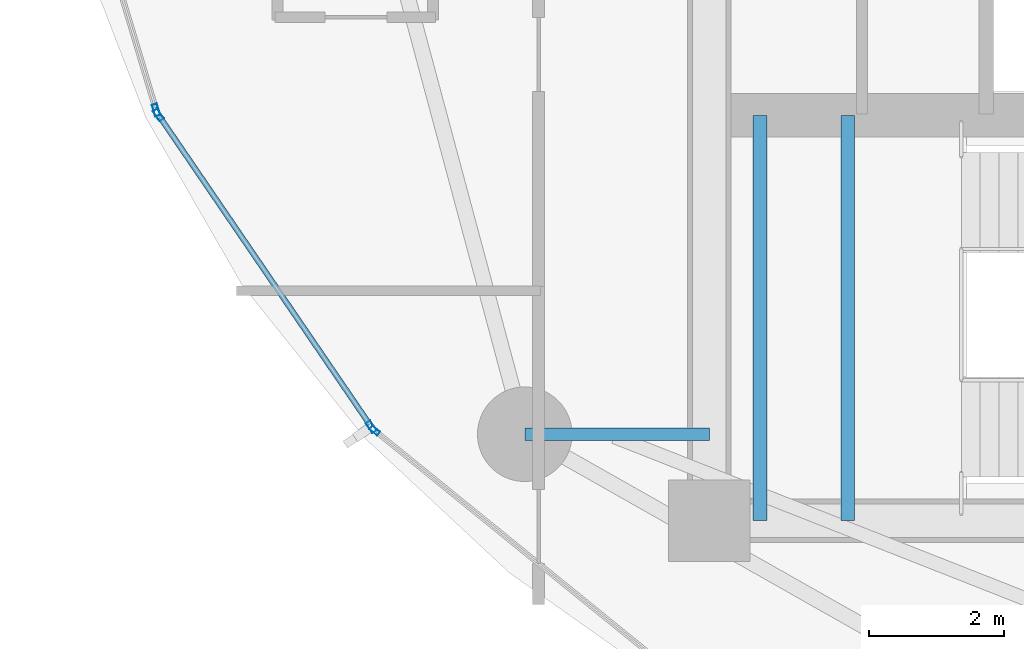
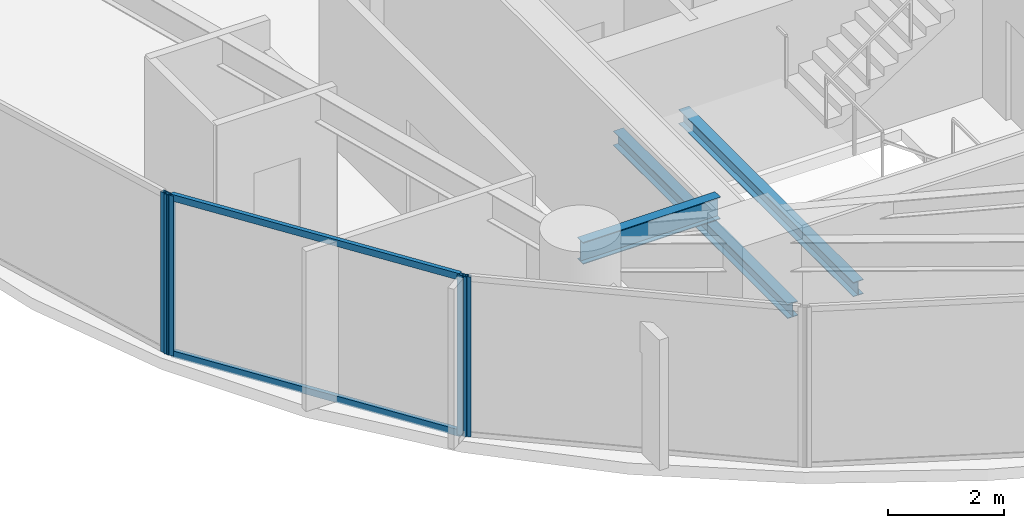
# One storey, part 3 of 31: 6 members, 3 beams, 3 elements without a shape of their own.
"""IFC4 building model written with IfcOpenShell, lengths in metres."""

from ifc_helpers import new_model, si_unit, direction, frame, origin, origin_2d, place, context, subcontext, project, spatial, hollow_rectangle, i_section, extrude, material, layer, layer_set, material_profile, profile_set, type_object, element, aggregate, save


model = new_model("IFC4")

# Units and contexts
model_context = context("Model", 3, precision=1e-05, world=origin(), true_north=direction((0.0, 1.0)))
body_context = subcontext(model_context, "Body", "Model", "MODEL_VIEW")
ifc_project = project(units=[si_unit("LENGTHUNIT", "METRE"), si_unit("AREAUNIT", "SQUARE_METRE"), si_unit("VOLUMEUNIT", "CUBIC_METRE"), si_unit("PLANEANGLEUNIT", "RADIAN"), si_unit("MASSUNIT", "GRAM", prefix="KILO")], contexts=[model_context])

# Site, building, storey
site_placement = place(None, origin())
site = spatial("IfcSite", under=ifc_project, at=site_placement, CompositionType="ELEMENT")
building_placement = place(site_placement, origin())
building = spatial("IfcBuilding", under=site, at=building_placement, Name="Kazevale Care Tower and Concert Hall", CompositionType="ELEMENT")
storey_placement = place(building_placement, frame((0.0, 0.0, 81.60009765625)))
storey = spatial("IfcBuildingStorey", under=building, at=storey_placement, Name="L21", CompositionType="ELEMENT", Elevation=81.60009765625)

# Curtain wall, members
ifc_material_1 = material(Name="Aluminium 6063-T6 and Low-E Glass", Category="aluminium")
ifc_layer_1 = layer(ifc_material_1, 0.179931640625)
ifc_layer_set_1 = layer_set([ifc_layer_1], Name="Aluminium 6063-T6 and Low-E Glass")
curtain_wall_type_1 = type_object("IfcCurtainWallType", Name="Waist & Upper Residential Curtain Wall CW-4", PredefinedType="NOTDEFINED", material=ifc_layer_set_1)
curtain_wall_1_placement = place(storey_placement, origin())
curtain_wall_1 = element("IfcCurtainWall", 1, at=curtain_wall_1_placement, inside=storey, type_object=curtain_wall_type_1, Name="cw:L21:f11", PredefinedType="NOTDEFINED")
ifc_material_2 = material(Name="Aluminium 6063-T6", Category="aluminium")
ifc_material_profile_1 = material_profile(ifc_material_2, hollow_rectangle(XDim=0.080078125, YDim=0.179931640625, WallThickness=0.0048828125, at=origin_2d()), Name="ALU80x180x5")
ifc_profile_set_1 = profile_set([ifc_material_profile_1], Name="Aluminium 6063-T6")
member_type_1 = type_object("IfcMemberType", Name="CW-4 Mullion ALU80x180x5", PredefinedType="MULLION", material=ifc_profile_set_1)
member_1_placement = place(storey_placement, frame((16.99853515625, 24.989990234375, 0.0), z_axis=(0.0, 0.0, 1.0), x_axis=(-0.826003329789, -0.563665236801, 0.0)))
member_1 = element("IfcMember", 2, at=member_1_placement, type_object=member_type_1, Name="CW-4 mullion 1", PredefinedType="MULLION", context=body_context, shape_type="SweptSolid", body=[
    extrude(hollow_rectangle(XDim=0.080078125, YDim=0.179931640625, WallThickness=0.0048828125, at=origin_2d()), origin(), (0.0, 0.0, 1.0), 3.35986328125),
])
member_2_placement = place(storey_placement, frame((13.8486328125, 29.60595703125, 0.0), z_axis=(0.0, 0.0, 1.0), x_axis=(-0.826003329789, -0.563665236801, 0.0)))
member_2 = element("IfcMember", 3, at=member_2_placement, type_object=member_type_1, Name="CW-4 mullion 2", PredefinedType="MULLION", context=body_context, shape_type="SweptSolid", body=[
    extrude(hollow_rectangle(XDim=0.080078125, YDim=0.179931640625, WallThickness=0.0048828125, at=origin_2d()), origin(), (0.0, 0.0, 1.0), 3.35986328125),
])

# Curtain wall, member
curtain_wall_2_placement = place(storey_placement, origin())
curtain_wall_2 = element("IfcCurtainWall", 4, at=curtain_wall_2_placement, inside=storey, type_object=curtain_wall_type_1, Name="cw:L21:f12", PredefinedType="NOTDEFINED")
member_3_placement = place(storey_placement, frame((13.814453125, 29.67724609375, 0.0), z_axis=(0.0, 0.0, 1.0), x_axis=(-0.957661755703, -0.287895747909, 0.0)))
member_3 = element("IfcMember", 5, at=member_3_placement, type_object=member_type_1, Name="CW-4 mullion 1", PredefinedType="MULLION", context=body_context, shape_type="SweptSolid", body=[
    extrude(hollow_rectangle(XDim=0.080078125, YDim=0.179931640625, WallThickness=0.0048828125, at=origin_2d()), origin(), (0.0, 0.0, 1.0), 3.35986328125),
])
aggregate(curtain_wall_2, [member_3])

# Member
ifc_material_profile_2 = material_profile(ifc_material_2, hollow_rectangle(XDim=0.080078125, YDim=0.139892578125, WallThickness=0.00390625, at=origin_2d()), Name="ALU80x140x4")
ifc_profile_set_2 = profile_set([ifc_material_profile_2], Name="Aluminium 6063-T6")
member_type_2 = type_object("IfcMemberType", Name="CW-4 Transom ALU80x140x4", PredefinedType="USERDEFINED", material=ifc_profile_set_2)
member_4_placement = place(storey_placement, frame((16.975830078125, 25.023193359375, 0.039794921875), z_axis=(-0.56365860987, 0.826007851972, 0.0), x_axis=(-0.826007851972, -0.56365860987, 0.0)))
member_4 = element("IfcMember", 6, at=member_4_placement, type_object=member_type_2, Name="CW-4 transom 1.1", ObjectType="TRANSOM", PredefinedType="USERDEFINED", context=body_context, shape_type="SweptSolid", body=[
    extrude(hollow_rectangle(XDim=0.080078125, YDim=0.139892578125, WallThickness=0.00390625, at=origin_2d()), origin(), (0.0, 0.0, 1.0), 5.50830078125),
])

member_5_placement = place(storey_placement, frame((16.975830078125, 25.023193359375, 3.31982421875), z_axis=(-0.56365860987, 0.826007851972, 0.0), x_axis=(-0.826007851972, -0.56365860987, 0.0)))
member_5 = element("IfcMember", 7, at=member_5_placement, type_object=member_type_2, Name="CW-4 transom 1.2", ObjectType="TRANSOM", PredefinedType="USERDEFINED", context=body_context, shape_type="SweptSolid", body=[
    extrude(hollow_rectangle(XDim=0.080078125, YDim=0.139892578125, WallThickness=0.00390625, at=origin_2d()), origin(), (0.0, 0.0, 1.0), 5.50830078125),
])

aggregate(curtain_wall_1, [member_1, member_2, member_4, member_5])

# Curtain wall, member
ifc_layer_2 = layer(ifc_material_1, 0.179931640625)
ifc_layer_set_2 = layer_set([ifc_layer_2], Name="Aluminium 6063-T6 and Low-E Glass")
curtain_wall_type_2 = type_object("IfcCurtainWallType", Name="Sheltered Concave Balcony Curtain Wall CW-5", PredefinedType="NOTDEFINED", material=ifc_layer_set_2)
curtain_wall_3_placement = place(storey_placement, origin())
curtain_wall_3 = element("IfcCurtainWall", 8, at=curtain_wall_3_placement, inside=storey, type_object=curtain_wall_type_2, Name="cw:L21:f10", PredefinedType="NOTDEFINED")
ifc_material_profile_3 = material_profile(ifc_material_2, hollow_rectangle(XDim=0.074951171875, YDim=0.14990234375, WallThickness=0.00390625, at=origin_2d()), Name="ALU75x150x4")
ifc_profile_set_3 = profile_set([ifc_material_profile_3], Name="Aluminium 6063-T6")
member_type_3 = type_object("IfcMemberType", Name="CW-5 Mullion ALU75x150x4", PredefinedType="MULLION", material=ifc_profile_set_3)
member_6_placement = place(storey_placement, frame((17.050048828125, 24.933349609375, 0.0), z_axis=(0.0, 0.0, 1.0), x_axis=(-0.629994732952, -0.77659940539, 0.0)))
member_6 = element("IfcMember", 9, at=member_6_placement, type_object=member_type_3, Name="CW-5 mullion 2", PredefinedType="MULLION", context=body_context, shape_type="SweptSolid", body=[
    extrude(hollow_rectangle(XDim=0.074951171875, YDim=0.14990234375, WallThickness=0.00390625, at=origin_2d()), origin(), (0.0, 0.0, 1.0), 3.35986328125),
])
aggregate(curtain_wall_3, [member_6])

# Beams
ifc_material_3 = material(Name="Steel ASTM A572 Gr 50", Category="steel")
ifc_material_profile_4 = material_profile(ifc_material_3, i_section(OverallWidth=0.19091796875, OverallDepth=0.4599609375, WebThickness=0.010009765625, FlangeThickness=0.01611328125, at=origin_2d()), Name="W460x82")
ifc_profile_set_4 = profile_set([ifc_material_profile_4], Name="Steel ASTM A572 Gr 50")
beam_type_1 = type_object("IfcBeamType", Name="Radial Floor Beam W460x82", PredefinedType="BEAM", material=ifc_profile_set_4)
beam_placement = place(storey_placement, frame((22.0, 24.8798828125, 3.1298828125), z_axis=(-1.0, 0.0, 0.0), x_axis=(0.0, -1.0, 0.0)))
element("IfcBeam", 10, at=beam_placement, inside=storey, type_object=beam_type_1, Name="beam:L21:rad:10", PredefinedType="BEAM", context=body_context, shape_type="SweptSolid", body=[
    extrude(i_section(OverallWidth=0.19091796875, OverallDepth=0.4599609375, WebThickness=0.010009765625, FlangeThickness=0.01611328125, at=origin_2d()), origin(), (0.0, 0.0, 1.0), 2.72998046875),
])
ifc_material_profile_5 = material_profile(ifc_material_3, i_section(OverallWidth=0.202880859375, OverallDepth=0.302978515625, WebThickness=0.007568359375, FlangeThickness=0.01318359375, at=origin_2d()), Name="W310x60")
ifc_profile_set_5 = profile_set([ifc_material_profile_5], Name="Steel ASTM A572 Gr 50")
beam_type_2 = type_object("IfcBeamType", Name="Stair & Balcony Trimmer W310x60", PredefinedType="BEAM", material=ifc_profile_set_5)
for number, where, z_axis, x_axis, name in (
    (11, (22.75, 23.60009765625, 1.448486328125), (0.0, 1.0, 0.0), (-1.0, 0.0, 0.0), "beam:L21:sttrim:ST1"),
    (12, (24.050048828125, 23.60009765625, 1.448486328125), (0.0, 1.0, 0.0), (-1.0, 0.0, 0.0), "beam:L21:sttrim:ST1b"),
):
    element("IfcBeam", number, at=place(storey_placement, frame(where, z_axis=z_axis, x_axis=x_axis)), inside=storey, type_object=beam_type_2, Name=name, PredefinedType="BEAM", context=body_context, shape_type="SweptSolid", body=[
        extrude(i_section(OverallWidth=0.202880859375, OverallDepth=0.302978515625, WebThickness=0.007568359375, FlangeThickness=0.01318359375, at=origin_2d()), origin(), (0.0, 0.0, 1.0), 6.0),
    ])

save(model, "model.ifc")
